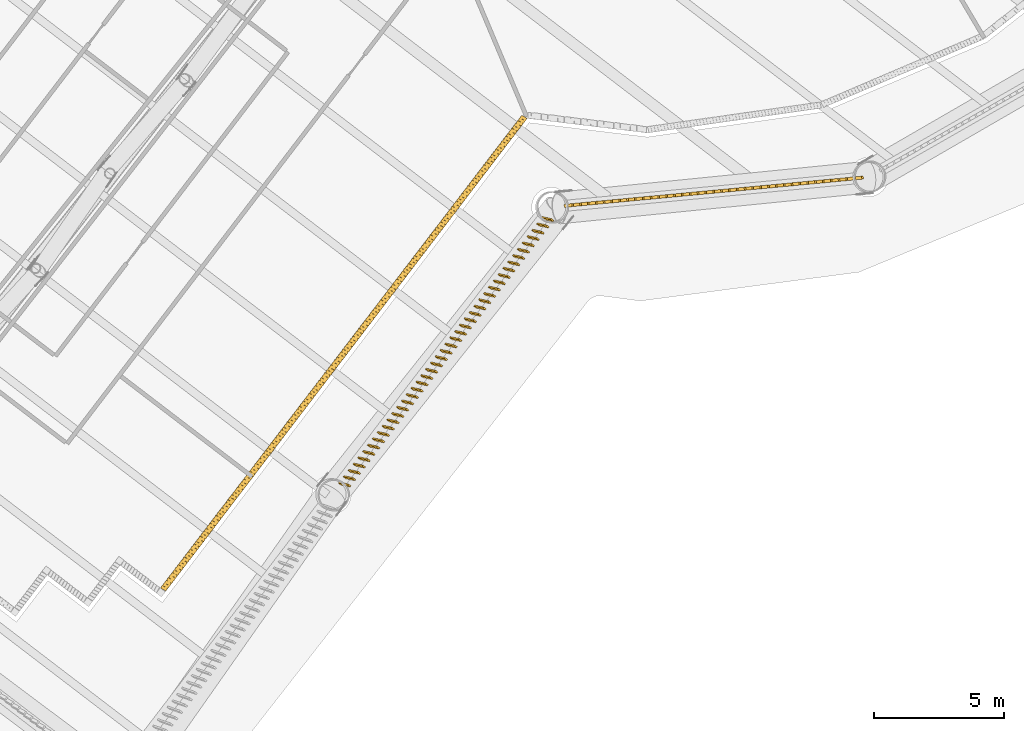
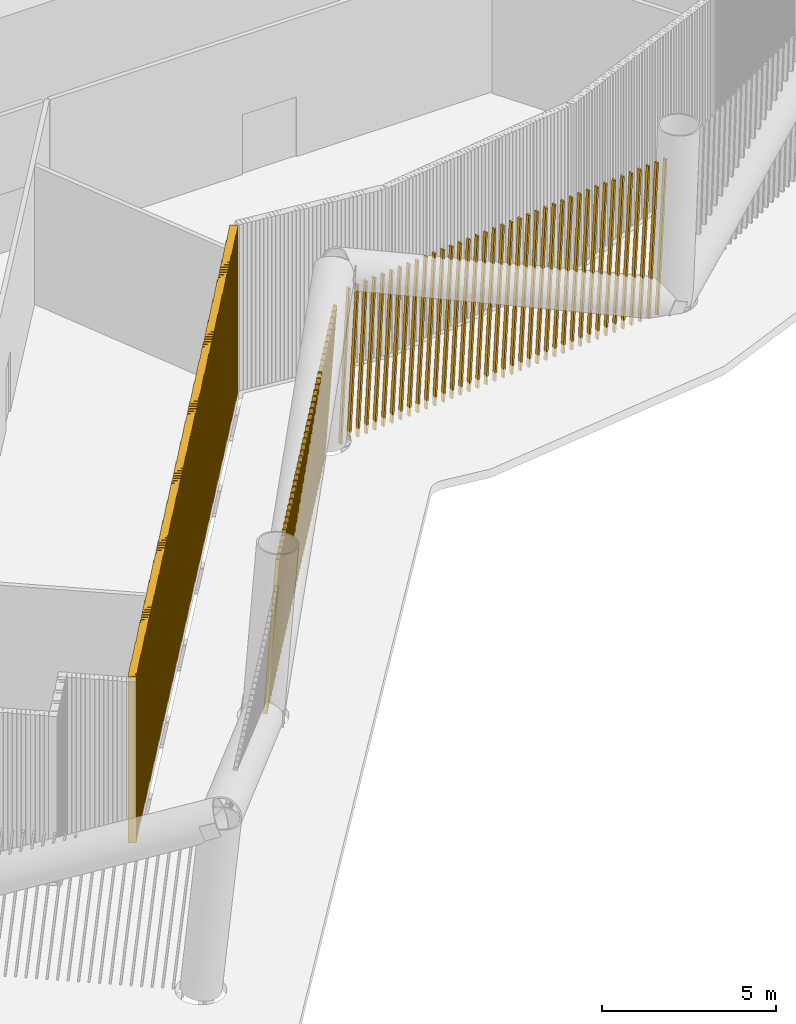
# One storey, part 37 of 48: 3 shading devices.
"""IFC4 building model written with IfcOpenShell, lengths in metres."""

import ifcopenshell
import ifcopenshell.guid

model = None  # the IFC model being written
_history = None  # IfcOwnerHistory: only IFC2X3 demands one
_inside = {}  # id of a spatial element -> (the spatial element, [elements in it])
_under = {}  # id of a project, library or spatial element -> (it, [spatial elements below it])
_declared = {}  # id of a project -> (the project, [libraries it declares])
_typed = {}  # id of a type object -> (the type object, [elements of that type])
_made_of = {}  # id of a material, layer set ... -> (it, [elements and type objects made of it])


def new_model(schema):
    """Start an empty IFC model of exactly this schema.

    Asked for "IFC4X3", IfcOpenShell would pick the latest addendum, in which some entities
    have other attributes; the version numbers below select the first issue.
    IFC2X3 requires an IfcOwnerHistory on every rooted entity: one is made here for all.
    """
    global model, _history
    if schema == "IFC4X3":
        model = ifcopenshell.file(schema_version=(4, 3, 0, 0))
    else:
        model = ifcopenshell.file(schema=schema)
    _inside.clear()
    _under.clear()
    _declared.clear()
    _typed.clear()
    _made_of.clear()
    _history = None
    if model.schema == "IFC2X3":
        org = make("IfcOrganization", Name="unknown")
        user = make(
            "IfcPersonAndOrganization",
            ThePerson=make("IfcPerson", FamilyName="unknown"),
            TheOrganization=org,
        )
        app = make(
            "IfcApplication",
            ApplicationDeveloper=org,
            Version="unknown",
            ApplicationFullName="unknown",
            ApplicationIdentifier="unknown",
        )
        _history = make(
            "IfcOwnerHistory",
            OwningUser=user,
            OwningApplication=app,
            ChangeAction="ADDED",
            CreationDate=0,
        )
    return model


def make(cls, **values):
    """One entity of the class cls with the attributes given. An attribute that is None is left unset."""
    return model.create_entity(
        cls, **{name: value for name, value in values.items() if value is not None}
    )


def rooted(cls, **values):
    """An entity with a GlobalId (a new one), such as an element, a storey or a relation."""
    return make(cls, GlobalId=ifcopenshell.guid.new(), OwnerHistory=_history, **values)


def si_unit(unit_type, name, prefix=None):
    """IfcSIUnit, for example si_unit("LENGTHUNIT", "METRE", prefix="MILLI")."""
    return make("IfcSIUnit", UnitType=unit_type, Prefix=prefix, Name=name)


def assignment(units):
    """IfcUnitAssignment: the units of a project."""
    return None if units is None else make("IfcUnitAssignment", Units=units)


def point(xyz):
    """IfcCartesianPoint."""
    return None if xyz is None else make("IfcCartesianPoint", Coordinates=xyz)


def direction(xyz):
    """IfcDirection."""
    return None if xyz is None else make("IfcDirection", DirectionRatios=xyz)


def frame(location, z_axis=None, x_axis=None):
    """IfcAxis2Placement3D, a coordinate frame: its origin and axes. An axis left out is left unset."""
    return make(
        "IfcAxis2Placement3D",
        Location=point(location),
        Axis=direction(z_axis),
        RefDirection=direction(x_axis),
    )


def frame_2d(location, x_axis=None):
    """IfcAxis2Placement2D, a coordinate frame in the plane: its origin and x axis."""
    return make(
        "IfcAxis2Placement2D", Location=point(location), RefDirection=direction(x_axis)
    )


def origin():
    """The frame at (0, 0, 0) with its axes left unset."""
    return frame((0.0, 0.0, 0.0))


def place(relative_to, where):
    """IfcLocalPlacement: puts the frame where relative to a parent placement (None: the world)."""
    return make(
        "IfcLocalPlacement", PlacementRelTo=relative_to, RelativePlacement=where
    )


def context(
    kind, dimensions, precision=None, world=None, true_north=None, identifier=None
):
    """IfcGeometricRepresentationContext, for example the 3D "Model" context."""
    return make(
        "IfcGeometricRepresentationContext",
        ContextIdentifier=identifier,
        ContextType=kind,
        CoordinateSpaceDimension=dimensions,
        Precision=precision,
        WorldCoordinateSystem=world,
        TrueNorth=true_north,
    )


def subcontext(parent, identifier, kind, view, scale=None):
    """IfcGeometricRepresentationSubContext, for example "Body" below "Model"."""
    return make(
        "IfcGeometricRepresentationSubContext",
        ContextIdentifier=identifier,
        ContextType=kind,
        ParentContext=parent,
        TargetScale=scale,
        TargetView=view,
    )


def project(units=None, contexts=None):
    """IfcProject with its units and contexts."""
    return rooted(
        "IfcProject",
        Name="project",
        RepresentationContexts=contexts,
        UnitsInContext=assignment(units),
    )


def spatial(cls, under=None, at=None, **own):
    """A site, building, storey or space (cls), placed at a placement, below another one or the project."""
    s = rooted(cls, ObjectPlacement=at, **own)
    if under is not None:
        _under.setdefault(under.id(), (under, []))[1].append(s)
    return s


def profile(cls, at=None, kind="AREA", **sizes):
    """A parametric profile (cls). Its sizes go by their IFC names, for example OverallWidth=200.0."""
    return make(cls, ProfileType=kind, Position=at, **sizes)


def rectangle(**sizes):
    """IfcRectangleProfileDef."""
    return profile("IfcRectangleProfileDef", **sizes)


def composite_profile(profiles, kind="AREA"):
    """IfcCompositeProfileDef: several profiles as one."""
    return make("IfcCompositeProfileDef", ProfileType=kind, Profiles=profiles)


def extrude(swept, where, along, depth):
    """IfcExtrudedAreaSolid: the profile swept, set in the frame where, extruded along a direction by depth."""
    return make(
        "IfcExtrudedAreaSolid",
        SweptArea=swept,
        Position=where,
        ExtrudedDirection=direction(along),
        Depth=depth,
    )


def shape(context_of_items, identifier, shape_type, items):
    """IfcShapeRepresentation: the items that make up one representation, for example the "Body"."""
    return make(
        "IfcShapeRepresentation",
        ContextOfItems=context_of_items,
        RepresentationIdentifier=identifier,
        RepresentationType=shape_type,
        Items=items,
    )


def material(Name=None, Category=None):
    """IfcMaterial."""
    return make("IfcMaterial", Name=Name, Category=Category)


def made_of(thing, what):
    """Note that an element or type object is made of a material, layer set ...; save() writes the relation."""
    if what is not None:
        _made_of.setdefault(what.id(), (what, []))[1].append(thing)
    return thing


def type_object(cls, material=None, **own):
    """A type object (cls), such as IfcWallType, which elements share."""
    return made_of(rooted(cls, **own), material)


def element(
    cls,
    number,
    at=None,
    inside=None,
    cuts=None,
    type_object=None,
    material=None,
    context=None,
    identifier="Body",
    shape_type=None,
    held_by="IfcProductDefinitionShape",
    body=None,
    shapes=None,
    **own,
):
    """One element of the class cls, such as IfcWall. Its Tag is "e" and its number.

    at: its placement. inside: the storey or other place that contains it. cuts: it is an
    opening in that element (IfcRelVoidsElement). A single representation is given by context,
    identifier, shape_type and body (its items); several are given by shapes. held_by: the class
    of the entity that holds the representations. save() writes the other relations.
    """
    e = rooted(cls, Tag="e%d" % number, ObjectPlacement=at, **own)
    if body is not None:
        shapes = [shape(context, identifier, shape_type, body)]
    if shapes is not None:
        e.Representation = make(held_by, Representations=shapes)
    if inside is not None:
        _inside.setdefault(inside.id(), (inside, []))[1].append(e)
    if cuts is not None:
        rooted(
            "IfcRelVoidsElement", RelatingBuildingElement=cuts, RelatedOpeningElement=e
        )
    if type_object is not None:
        _typed.setdefault(type_object.id(), (type_object, []))[1].append(e)
    return made_of(e, material)


def aggregate(whole, parts):
    """IfcRelAggregates: a whole, such as a stair, and the parts it consists of."""
    return rooted("IfcRelAggregates", RelatingObject=whole, RelatedObjects=parts)


def save(model, path):
    """Write the relations noted so far, then the file.

    IfcRelAggregates (storeys below a building ...), IfcRelContainedInSpatialStructure (elements
    in a storey), IfcRelDefinesByType, IfcRelAssociatesMaterial and IfcRelDeclares: one each for
    every whole, place, type object, material and project.
    """
    for whole, parts in _under.values():
        aggregate(whole, parts)
    for where, things in _inside.values():
        rooted(
            "IfcRelContainedInSpatialStructure",
            RelatedElements=things,
            RelatingStructure=where,
        )
    for kind, things in _typed.values():
        rooted("IfcRelDefinesByType", RelatedObjects=things, RelatingType=kind)
    for what, things in _made_of.values():
        rooted("IfcRelAssociatesMaterial", RelatedObjects=things, RelatingMaterial=what)
    for by, libraries in _declared.values():
        rooted("IfcRelDeclares", RelatingContext=by, RelatedDefinitions=libraries)
    model.write(path)


model = new_model("IFC4")

# Units and contexts
model_context = context("Model", 3, precision=1e-05, world=origin(), true_north=direction((0.0, 1.0)))
body_context = subcontext(model_context, "Body", "Model", "MODEL_VIEW")
ifc_project = project(units=[si_unit("LENGTHUNIT", "METRE"), si_unit("AREAUNIT", "SQUARE_METRE"), si_unit("VOLUMEUNIT", "CUBIC_METRE"), si_unit("PLANEANGLEUNIT", "RADIAN"), si_unit("MASSUNIT", "GRAM", prefix="KILO")], contexts=[model_context])

# Site, building, storey
site_placement = place(None, origin())
site = spatial("IfcSite", under=ifc_project, at=site_placement, CompositionType="ELEMENT")
building_placement = place(site_placement, origin())
building = spatial("IfcBuilding", under=site, at=building_placement, Name="Tarsis Ring Headquarters", CompositionType="ELEMENT")
storey_placement = place(building_placement, frame((0.0, 0.0, 34.0)))
storey = spatial("IfcBuildingStorey", under=building, at=storey_placement, Name="L06", CompositionType="ELEMENT", Elevation=34.0)

# Shading devices
ifc_material_1 = material(Name="Aluminium louvre", Category="aluminium")
shading_device_type_1 = type_object("IfcShadingDeviceType", Name="Plant louvre fin", PredefinedType="USERDEFINED", material=ifc_material_1)
shading_device_1_placement = place(storey_placement, frame((-18.353759765625, -43.55712890625, 0.0), z_axis=(0.0, 0.0, 1.0), x_axis=(0.607372819922, 0.794411752164, 0.0)))
element("IfcShadingDevice", 1, at=shading_device_1_placement, inside=storey, type_object=shading_device_type_1, Name="Louvre L06-16", ObjectType="Louvre", PredefinedType="USERDEFINED", context=body_context, shape_type="SweptSolid", body=[
    extrude(composite_profile([rectangle(XDim=0.1201171875, YDim=0.239990234375, at=frame_2d((0.076171875, 0.0), x_axis=(0.990268068742, 0.13917310096))), rectangle(XDim=0.1201171875, YDim=0.239990234375, at=frame_2d((0.201904296875, 0.0), x_axis=(0.990268068742, 0.13917310096))), rectangle(XDim=0.1201171875, YDim=0.239990234375, at=frame_2d((0.32763671875, 0.0), x_axis=(0.990268068742, 0.13917310096))), rectangle(XDim=0.1201171875, YDim=0.239990234375, at=frame_2d((0.453125, 0.0), x_axis=(0.990268068742, 0.13917310096))), rectangle(XDim=0.1201171875, YDim=0.239990234375, at=frame_2d((0.578857421875, 0.0), x_axis=(0.990268068742, 0.13917310096))), rectangle(XDim=0.1201171875, YDim=0.239990234375, at=frame_2d((0.70458984375, 0.0), x_axis=(0.990268068742, 0.13917310096))), rectangle(XDim=0.1201171875, YDim=0.239990234375, at=frame_2d((0.830322265625, 0.0), x_axis=(0.990268068742, 0.13917310096))), rectangle(XDim=0.1201171875, YDim=0.239990234375, at=frame_2d((0.9560546875, 0.0), x_axis=(0.990268068742, 0.13917310096))), rectangle(XDim=0.1201171875, YDim=0.239990234375, at=frame_2d((1.08154296875, 0.0), x_axis=(0.990268068742, 0.13917310096))), rectangle(XDim=0.1201171875, YDim=0.239990234375, at=frame_2d((1.207275390625, 0.0), x_axis=(0.990268068742, 0.13917310096))), rectangle(XDim=0.1201171875, YDim=0.239990234375, at=frame_2d((1.3330078125, 0.0), x_axis=(0.990268068742, 0.13917310096))), rectangle(XDim=0.1201171875, YDim=0.239990234375, at=frame_2d((1.458740234375, 0.0), x_axis=(0.990268068742, 0.13917310096))), rectangle(XDim=0.1201171875, YDim=0.239990234375, at=frame_2d((1.58447265625, 0.0), x_axis=(0.990268068742, 0.13917310096))), rectangle(XDim=0.1201171875, YDim=0.239990234375, at=frame_2d((1.7099609375, 0.0), x_axis=(0.990268068742, 0.13917310096))), rectangle(XDim=0.1201171875, YDim=0.239990234375, at=frame_2d((1.835693359375, 0.0), x_axis=(0.990268068742, 0.13917310096))), rectangle(XDim=0.1201171875, YDim=0.239990234375, at=frame_2d((1.96142578125, 0.0), x_axis=(0.990268068742, 0.13917310096))), rectangle(XDim=0.1201171875, YDim=0.239990234375, at=frame_2d((2.087158203125, 0.0), x_axis=(0.990268068742, 0.13917310096))), rectangle(XDim=0.1201171875, YDim=0.239990234375, at=frame_2d((2.212890625, 0.0), x_axis=(0.990268068742, 0.13917310096))), rectangle(XDim=0.1201171875, YDim=0.239990234375, at=frame_2d((2.338623046875, 0.0), x_axis=(0.990268068742, 0.13917310096))), rectangle(XDim=0.1201171875, YDim=0.239990234375, at=frame_2d((2.464111328125, 0.0), x_axis=(0.990268068742, 0.13917310096))), rectangle(XDim=0.1201171875, YDim=0.239990234375, at=frame_2d((2.58984375, 0.0), x_axis=(0.990268068742, 0.13917310096))), rectangle(XDim=0.1201171875, YDim=0.239990234375, at=frame_2d((2.715576171875, 0.0), x_axis=(0.990268068742, 0.13917310096))), rectangle(XDim=0.1201171875, YDim=0.239990234375, at=frame_2d((2.84130859375, 0.0), x_axis=(0.990268068742, 0.13917310096))), rectangle(XDim=0.1201171875, YDim=0.239990234375, at=frame_2d((2.967041015625, 0.0), x_axis=(0.990268068742, 0.13917310096))), rectangle(XDim=0.1201171875, YDim=0.239990234375, at=frame_2d((3.092529296875, 0.0), x_axis=(0.990268068742, 0.13917310096))), rectangle(XDim=0.1201171875, YDim=0.239990234375, at=frame_2d((3.21826171875, 0.0), x_axis=(0.990268068742, 0.13917310096))), rectangle(XDim=0.1201171875, YDim=0.239990234375, at=frame_2d((3.343994140625, 0.0), x_axis=(0.990268068742, 0.13917310096))), rectangle(XDim=0.1201171875, YDim=0.239990234375, at=frame_2d((3.4697265625, 0.0), x_axis=(0.990268068742, 0.13917310096))), rectangle(XDim=0.1201171875, YDim=0.239990234375, at=frame_2d((3.595458984375, 0.0), x_axis=(0.990268068742, 0.13917310096))), rectangle(XDim=0.1201171875, YDim=0.239990234375, at=frame_2d((3.720947265625, 0.0), x_axis=(0.990268068742, 0.13917310096))), rectangle(XDim=0.1201171875, YDim=0.239990234375, at=frame_2d((3.8466796875, 0.0), x_axis=(0.990268068742, 0.13917310096))), rectangle(XDim=0.1201171875, YDim=0.239990234375, at=frame_2d((3.972412109375, 0.0), x_axis=(0.990268068742, 0.13917310096))), rectangle(XDim=0.1201171875, YDim=0.239990234375, at=frame_2d((4.09814453125, 0.0), x_axis=(0.990268068742, 0.13917310096))), rectangle(XDim=0.1201171875, YDim=0.239990234375, at=frame_2d((4.223876953125, 0.0), x_axis=(0.990268068742, 0.13917310096))), rectangle(XDim=0.1201171875, YDim=0.239990234375, at=frame_2d((4.349365234375, 0.0), x_axis=(0.990268068742, 0.13917310096))), rectangle(XDim=0.1201171875, YDim=0.239990234375, at=frame_2d((4.47509765625, 0.0), x_axis=(0.990268068742, 0.13917310096))), rectangle(XDim=0.1201171875, YDim=0.239990234375, at=frame_2d((4.600830078125, 0.0), x_axis=(0.990268068742, 0.13917310096))), rectangle(XDim=0.1201171875, YDim=0.239990234375, at=frame_2d((4.7265625, 0.0), x_axis=(0.990268068742, 0.13917310096))), rectangle(XDim=0.1201171875, YDim=0.239990234375, at=frame_2d((4.852294921875, 0.0), x_axis=(0.990268068742, 0.13917310096))), rectangle(XDim=0.1201171875, YDim=0.239990234375, at=frame_2d((4.977783203125, 0.0), x_axis=(0.990268068742, 0.13917310096))), rectangle(XDim=0.1201171875, YDim=0.239990234375, at=frame_2d((5.103515625, 0.0), x_axis=(0.990268068742, 0.13917310096))), rectangle(XDim=0.1201171875, YDim=0.239990234375, at=frame_2d((5.229248046875, 0.0), x_axis=(0.990268068742, 0.13917310096))), rectangle(XDim=0.1201171875, YDim=0.239990234375, at=frame_2d((5.35498046875, 0.0), x_axis=(0.990268068742, 0.13917310096))), rectangle(XDim=0.1201171875, YDim=0.239990234375, at=frame_2d((5.480712890625, 0.0), x_axis=(0.990268068742, 0.13917310096))), rectangle(XDim=0.1201171875, YDim=0.239990234375, at=frame_2d((5.606201171875, 0.0), x_axis=(0.990268068742, 0.13917310096))), rectangle(XDim=0.1201171875, YDim=0.239990234375, at=frame_2d((5.73193359375, 0.0), x_axis=(0.990268068742, 0.13917310096))), rectangle(XDim=0.1201171875, YDim=0.239990234375, at=frame_2d((5.857666015625, 0.0), x_axis=(0.990268068742, 0.13917310096))), rectangle(XDim=0.1201171875, YDim=0.239990234375, at=frame_2d((5.9833984375, 0.0), x_axis=(0.990268068742, 0.13917310096))), rectangle(XDim=0.1201171875, YDim=0.239990234375, at=frame_2d((6.109130859375, 0.0), x_axis=(0.990268068742, 0.13917310096))), rectangle(XDim=0.1201171875, YDim=0.239990234375, at=frame_2d((6.23486328125, 0.0), x_axis=(0.990268068742, 0.13917310096))), rectangle(XDim=0.1201171875, YDim=0.239990234375, at=frame_2d((6.3603515625, 0.0), x_axis=(0.990268068742, 0.13917310096))), rectangle(XDim=0.1201171875, YDim=0.239990234375, at=frame_2d((6.486083984375, 0.0), x_axis=(0.990268068742, 0.13917310096))), rectangle(XDim=0.1201171875, YDim=0.239990234375, at=frame_2d((6.61181640625, 0.0), x_axis=(0.990268068742, 0.13917310096))), rectangle(XDim=0.1201171875, YDim=0.239990234375, at=frame_2d((6.737548828125, 0.0), x_axis=(0.990268068742, 0.13917310096))), rectangle(XDim=0.1201171875, YDim=0.239990234375, at=frame_2d((6.86328125, 0.0), x_axis=(0.990268068742, 0.13917310096))), rectangle(XDim=0.1201171875, YDim=0.239990234375, at=frame_2d((6.98876953125, 0.0), x_axis=(0.990268068742, 0.13917310096))), rectangle(XDim=0.1201171875, YDim=0.239990234375, at=frame_2d((7.114501953125, 0.0), x_axis=(0.990268068742, 0.13917310096))), rectangle(XDim=0.1201171875, YDim=0.239990234375, at=frame_2d((7.240234375, 0.0), x_axis=(0.990268068742, 0.13917310096))), rectangle(XDim=0.1201171875, YDim=0.239990234375, at=frame_2d((7.365966796875, 0.0), x_axis=(0.990268068742, 0.13917310096))), rectangle(XDim=0.1201171875, YDim=0.239990234375, at=frame_2d((7.49169921875, 0.0), x_axis=(0.990268068742, 0.13917310096))), rectangle(XDim=0.1201171875, YDim=0.239990234375, at=frame_2d((7.6171875, 0.0), x_axis=(0.990268068742, 0.13917310096))), rectangle(XDim=0.1201171875, YDim=0.239990234375, at=frame_2d((7.742919921875, 0.0), x_axis=(0.990268068742, 0.13917310096))), rectangle(XDim=0.1201171875, YDim=0.239990234375, at=frame_2d((7.86865234375, 0.0), x_axis=(0.990268068742, 0.13917310096))), rectangle(XDim=0.1201171875, YDim=0.239990234375, at=frame_2d((7.994384765625, 0.0), x_axis=(0.990268068742, 0.13917310096))), rectangle(XDim=0.1201171875, YDim=0.239990234375, at=frame_2d((8.1201171875, 0.0), x_axis=(0.990268068742, 0.13917310096))), rectangle(XDim=0.1201171875, YDim=0.239990234375, at=frame_2d((8.24560546875, 0.0), x_axis=(0.990268068742, 0.13917310096))), rectangle(XDim=0.1201171875, YDim=0.239990234375, at=frame_2d((8.371337890625, 0.0), x_axis=(0.990268068742, 0.13917310096))), rectangle(XDim=0.1201171875, YDim=0.239990234375, at=frame_2d((8.4970703125, 0.0), x_axis=(0.990268068742, 0.13917310096))), rectangle(XDim=0.1201171875, YDim=0.239990234375, at=frame_2d((8.622802734375, 0.0), x_axis=(0.990268068742, 0.13917310096))), rectangle(XDim=0.1201171875, YDim=0.239990234375, at=frame_2d((8.74853515625, 0.0), x_axis=(0.990268068742, 0.13917310096))), rectangle(XDim=0.1201171875, YDim=0.239990234375, at=frame_2d((8.8740234375, 0.0), x_axis=(0.990268068742, 0.13917310096))), rectangle(XDim=0.1201171875, YDim=0.239990234375, at=frame_2d((8.999755859375, 0.0), x_axis=(0.990268068742, 0.13917310096))), rectangle(XDim=0.1201171875, YDim=0.239990234375, at=frame_2d((9.12548828125, 0.0), x_axis=(0.990268068742, 0.13917310096))), rectangle(XDim=0.1201171875, YDim=0.239990234375, at=frame_2d((9.251220703125, 0.0), x_axis=(0.990268068742, 0.13917310096))), rectangle(XDim=0.1201171875, YDim=0.239990234375, at=frame_2d((9.376953125, 0.0), x_axis=(0.990268068742, 0.13917310096))), rectangle(XDim=0.1201171875, YDim=0.239990234375, at=frame_2d((9.50244140625, 0.0), x_axis=(0.990268068742, 0.13917310096))), rectangle(XDim=0.1201171875, YDim=0.239990234375, at=frame_2d((9.628173828125, 0.0), x_axis=(0.990268068742, 0.13917310096))), rectangle(XDim=0.1201171875, YDim=0.239990234375, at=frame_2d((9.75390625, 0.0), x_axis=(0.990268068742, 0.13917310096))), rectangle(XDim=0.1201171875, YDim=0.239990234375, at=frame_2d((9.879638671875, 0.0), x_axis=(0.990268068742, 0.13917310096))), rectangle(XDim=0.1201171875, YDim=0.239990234375, at=frame_2d((10.00537109375, 0.0), x_axis=(0.990268068742, 0.13917310096))), rectangle(XDim=0.1201171875, YDim=0.239990234375, at=frame_2d((10.131103515625, 0.0), x_axis=(0.990268068742, 0.13917310096))), rectangle(XDim=0.1201171875, YDim=0.239990234375, at=frame_2d((10.256591796875, 0.0), x_axis=(0.990268068742, 0.13917310096))), rectangle(XDim=0.1201171875, YDim=0.239990234375, at=frame_2d((10.38232421875, 0.0), x_axis=(0.990268068742, 0.13917310096))), rectangle(XDim=0.1201171875, YDim=0.239990234375, at=frame_2d((10.508056640625, 0.0), x_axis=(0.990268068742, 0.13917310096))), rectangle(XDim=0.1201171875, YDim=0.239990234375, at=frame_2d((10.6337890625, 0.0), x_axis=(0.990268068742, 0.13917310096))), rectangle(XDim=0.1201171875, YDim=0.239990234375, at=frame_2d((10.759521484375, 0.0), x_axis=(0.990268068742, 0.13917310096))), rectangle(XDim=0.1201171875, YDim=0.239990234375, at=frame_2d((10.885009765625, 0.0), x_axis=(0.990268068742, 0.13917310096))), rectangle(XDim=0.1201171875, YDim=0.239990234375, at=frame_2d((11.0107421875, 0.0), x_axis=(0.990268068742, 0.13917310096))), rectangle(XDim=0.1201171875, YDim=0.239990234375, at=frame_2d((11.136474609375, 0.0), x_axis=(0.990268068742, 0.13917310096))), rectangle(XDim=0.1201171875, YDim=0.239990234375, at=frame_2d((11.26220703125, 0.0), x_axis=(0.990268068742, 0.13917310096))), rectangle(XDim=0.1201171875, YDim=0.239990234375, at=frame_2d((11.387939453125, 0.0), x_axis=(0.990268068742, 0.13917310096))), rectangle(XDim=0.1201171875, YDim=0.239990234375, at=frame_2d((11.513427734375, 0.0), x_axis=(0.990268068742, 0.13917310096))), rectangle(XDim=0.1201171875, YDim=0.239990234375, at=frame_2d((11.63916015625, 0.0), x_axis=(0.990268068742, 0.13917310096))), rectangle(XDim=0.1201171875, YDim=0.239990234375, at=frame_2d((11.764892578125, 0.0), x_axis=(0.990268068742, 0.13917310096))), rectangle(XDim=0.1201171875, YDim=0.239990234375, at=frame_2d((11.890625, 0.0), x_axis=(0.990268068742, 0.13917310096))), rectangle(XDim=0.1201171875, YDim=0.239990234375, at=frame_2d((12.016357421875, 0.0), x_axis=(0.990268068742, 0.13917310096))), rectangle(XDim=0.1201171875, YDim=0.239990234375, at=frame_2d((12.141845703125, 0.0), x_axis=(0.990268068742, 0.13917310096))), rectangle(XDim=0.1201171875, YDim=0.239990234375, at=frame_2d((12.267578125, 0.0), x_axis=(0.990268068742, 0.13917310096))), rectangle(XDim=0.1201171875, YDim=0.239990234375, at=frame_2d((12.393310546875, 0.0), x_axis=(0.990268068742, 0.13917310096))), rectangle(XDim=0.1201171875, YDim=0.239990234375, at=frame_2d((12.51904296875, 0.0), x_axis=(0.990268068742, 0.13917310096))), rectangle(XDim=0.1201171875, YDim=0.239990234375, at=frame_2d((12.644775390625, 0.0), x_axis=(0.990268068742, 0.13917310096))), rectangle(XDim=0.1201171875, YDim=0.239990234375, at=frame_2d((12.770263671875, 0.0), x_axis=(0.990268068742, 0.13917310096))), rectangle(XDim=0.1201171875, YDim=0.239990234375, at=frame_2d((12.89599609375, 0.0), x_axis=(0.990268068742, 0.13917310096))), rectangle(XDim=0.1201171875, YDim=0.239990234375, at=frame_2d((13.021728515625, 0.0), x_axis=(0.990268068742, 0.13917310096))), rectangle(XDim=0.1201171875, YDim=0.239990234375, at=frame_2d((13.1474609375, 0.0), x_axis=(0.990268068742, 0.13917310096))), rectangle(XDim=0.1201171875, YDim=0.239990234375, at=frame_2d((13.273193359375, 0.0), x_axis=(0.990268068742, 0.13917310096))), rectangle(XDim=0.1201171875, YDim=0.239990234375, at=frame_2d((13.39892578125, 0.0), x_axis=(0.990268068742, 0.13917310096))), rectangle(XDim=0.1201171875, YDim=0.239990234375, at=frame_2d((13.5244140625, 0.0), x_axis=(0.990268068742, 0.13917310096))), rectangle(XDim=0.1201171875, YDim=0.239990234375, at=frame_2d((13.650146484375, 0.0), x_axis=(0.990268068742, 0.13917310096))), rectangle(XDim=0.1201171875, YDim=0.239990234375, at=frame_2d((13.77587890625, 0.0), x_axis=(0.990268068742, 0.13917310096))), rectangle(XDim=0.1201171875, YDim=0.239990234375, at=frame_2d((13.901611328125, 0.0), x_axis=(0.990268068742, 0.13917310096))), rectangle(XDim=0.1201171875, YDim=0.239990234375, at=frame_2d((14.02734375, 0.0), x_axis=(0.990268068742, 0.13917310096))), rectangle(XDim=0.1201171875, YDim=0.239990234375, at=frame_2d((14.15283203125, 0.0), x_axis=(0.990268068742, 0.13917310096))), rectangle(XDim=0.1201171875, YDim=0.239990234375, at=frame_2d((14.278564453125, 0.0), x_axis=(0.990268068742, 0.13917310096))), rectangle(XDim=0.1201171875, YDim=0.239990234375, at=frame_2d((14.404296875, 0.0), x_axis=(0.990268068742, 0.13917310096))), rectangle(XDim=0.1201171875, YDim=0.239990234375, at=frame_2d((14.530029296875, 0.0), x_axis=(0.990268068742, 0.13917310096))), rectangle(XDim=0.1201171875, YDim=0.239990234375, at=frame_2d((14.65576171875, 0.0), x_axis=(0.990268068742, 0.13917310096))), rectangle(XDim=0.1201171875, YDim=0.239990234375, at=frame_2d((14.78125, 0.0), x_axis=(0.990268068742, 0.13917310096))), rectangle(XDim=0.1201171875, YDim=0.239990234375, at=frame_2d((14.906982421875, 0.0), x_axis=(0.990268068742, 0.13917310096))), rectangle(XDim=0.1201171875, YDim=0.239990234375, at=frame_2d((15.03271484375, 0.0), x_axis=(0.990268068742, 0.13917310096))), rectangle(XDim=0.1201171875, YDim=0.239990234375, at=frame_2d((15.158447265625, 0.0), x_axis=(0.990268068742, 0.13917310096))), rectangle(XDim=0.1201171875, YDim=0.239990234375, at=frame_2d((15.2841796875, 0.0), x_axis=(0.990268068742, 0.13917310096))), rectangle(XDim=0.1201171875, YDim=0.239990234375, at=frame_2d((15.40966796875, 0.0), x_axis=(0.990268068742, 0.13917310096))), rectangle(XDim=0.1201171875, YDim=0.239990234375, at=frame_2d((15.535400390625, 0.0), x_axis=(0.990268068742, 0.13917310096))), rectangle(XDim=0.1201171875, YDim=0.239990234375, at=frame_2d((15.6611328125, 0.0), x_axis=(0.990268068742, 0.13917310096))), rectangle(XDim=0.1201171875, YDim=0.239990234375, at=frame_2d((15.786865234375, 0.0), x_axis=(0.990268068742, 0.13917310096))), rectangle(XDim=0.1201171875, YDim=0.239990234375, at=frame_2d((15.91259765625, 0.0), x_axis=(0.990268068742, 0.13917310096))), rectangle(XDim=0.1201171875, YDim=0.239990234375, at=frame_2d((16.0380859375, 0.0), x_axis=(0.990268068742, 0.13917310096))), rectangle(XDim=0.1201171875, YDim=0.239990234375, at=frame_2d((16.163818359375, 0.0), x_axis=(0.990268068742, 0.13917310096))), rectangle(XDim=0.1201171875, YDim=0.239990234375, at=frame_2d((16.28955078125, 0.0), x_axis=(0.990268068742, 0.13917310096))), rectangle(XDim=0.1201171875, YDim=0.239990234375, at=frame_2d((16.415283203125, 0.0), x_axis=(0.990268068742, 0.13917310096))), rectangle(XDim=0.1201171875, YDim=0.239990234375, at=frame_2d((16.541015625, 0.0), x_axis=(0.990268068742, 0.13917310096))), rectangle(XDim=0.1201171875, YDim=0.239990234375, at=frame_2d((16.66650390625, 0.0), x_axis=(0.990268068742, 0.13917310096))), rectangle(XDim=0.1201171875, YDim=0.239990234375, at=frame_2d((16.792236328125, 0.0), x_axis=(0.990268068742, 0.13917310096))), rectangle(XDim=0.1201171875, YDim=0.239990234375, at=frame_2d((16.91796875, 0.0), x_axis=(0.990268068742, 0.13917310096))), rectangle(XDim=0.1201171875, YDim=0.239990234375, at=frame_2d((17.043701171875, 0.0), x_axis=(0.990268068742, 0.13917310096))), rectangle(XDim=0.1201171875, YDim=0.239990234375, at=frame_2d((17.16943359375, 0.0), x_axis=(0.990268068742, 0.13917310096))), rectangle(XDim=0.1201171875, YDim=0.239990234375, at=frame_2d((17.295166015625, 0.0), x_axis=(0.990268068742, 0.13917310096))), rectangle(XDim=0.1201171875, YDim=0.239990234375, at=frame_2d((17.420654296875, 0.0), x_axis=(0.990268068742, 0.13917310096))), rectangle(XDim=0.1201171875, YDim=0.239990234375, at=frame_2d((17.54638671875, 0.0), x_axis=(0.990268068742, 0.13917310096))), rectangle(XDim=0.1201171875, YDim=0.239990234375, at=frame_2d((17.672119140625, 0.0), x_axis=(0.990268068742, 0.13917310096))), rectangle(XDim=0.1201171875, YDim=0.239990234375, at=frame_2d((17.7978515625, 0.0), x_axis=(0.990268068742, 0.13917310096))), rectangle(XDim=0.1201171875, YDim=0.239990234375, at=frame_2d((17.923583984375, 0.0), x_axis=(0.990268068742, 0.13917310096))), rectangle(XDim=0.1201171875, YDim=0.239990234375, at=frame_2d((18.049072265625, 0.0), x_axis=(0.990268068742, 0.13917310096))), rectangle(XDim=0.1201171875, YDim=0.239990234375, at=frame_2d((18.1748046875, 0.0), x_axis=(0.990268068742, 0.13917310096))), rectangle(XDim=0.1201171875, YDim=0.239990234375, at=frame_2d((18.300537109375, 0.0), x_axis=(0.990268068742, 0.13917310096))), rectangle(XDim=0.1201171875, YDim=0.239990234375, at=frame_2d((18.42626953125, 0.0), x_axis=(0.990268068742, 0.13917310096))), rectangle(XDim=0.1201171875, YDim=0.239990234375, at=frame_2d((18.552001953125, 0.0), x_axis=(0.990268068742, 0.13917310096))), rectangle(XDim=0.1201171875, YDim=0.239990234375, at=frame_2d((18.677490234375, 0.0), x_axis=(0.990268068742, 0.13917310096))), rectangle(XDim=0.1201171875, YDim=0.239990234375, at=frame_2d((18.80322265625, 0.0), x_axis=(0.990268068742, 0.13917310096))), rectangle(XDim=0.1201171875, YDim=0.239990234375, at=frame_2d((18.928955078125, 0.0), x_axis=(0.990268068742, 0.13917310096))), rectangle(XDim=0.1201171875, YDim=0.239990234375, at=frame_2d((19.0546875, 0.0), x_axis=(0.990268068742, 0.13917310096))), rectangle(XDim=0.1201171875, YDim=0.239990234375, at=frame_2d((19.180419921875, 0.0), x_axis=(0.990268068742, 0.13917310096))), rectangle(XDim=0.1201171875, YDim=0.239990234375, at=frame_2d((19.305908203125, 0.0), x_axis=(0.990268068742, 0.13917310096))), rectangle(XDim=0.1201171875, YDim=0.239990234375, at=frame_2d((19.431640625, 0.0), x_axis=(0.990268068742, 0.13917310096))), rectangle(XDim=0.1201171875, YDim=0.239990234375, at=frame_2d((19.557373046875, 0.0), x_axis=(0.990268068742, 0.13917310096))), rectangle(XDim=0.1201171875, YDim=0.239990234375, at=frame_2d((19.68310546875, 0.0), x_axis=(0.990268068742, 0.13917310096))), rectangle(XDim=0.1201171875, YDim=0.239990234375, at=frame_2d((19.808837890625, 0.0), x_axis=(0.990268068742, 0.13917310096))), rectangle(XDim=0.1201171875, YDim=0.239990234375, at=frame_2d((19.934326171875, 0.0), x_axis=(0.990268068742, 0.13917310096))), rectangle(XDim=0.1201171875, YDim=0.239990234375, at=frame_2d((20.06005859375, 0.0), x_axis=(0.990268068742, 0.13917310096))), rectangle(XDim=0.1201171875, YDim=0.239990234375, at=frame_2d((20.185791015625, 0.0), x_axis=(0.990268068742, 0.13917310096))), rectangle(XDim=0.1201171875, YDim=0.239990234375, at=frame_2d((20.3115234375, 0.0), x_axis=(0.990268068742, 0.13917310096))), rectangle(XDim=0.1201171875, YDim=0.239990234375, at=frame_2d((20.437255859375, 0.0), x_axis=(0.990268068742, 0.13917310096))), rectangle(XDim=0.1201171875, YDim=0.239990234375, at=frame_2d((20.562744140625, 0.0), x_axis=(0.990268068742, 0.13917310096))), rectangle(XDim=0.1201171875, YDim=0.239990234375, at=frame_2d((20.6884765625, 0.0), x_axis=(0.990268068742, 0.13917310096))), rectangle(XDim=0.1201171875, YDim=0.239990234375, at=frame_2d((20.814208984375, 0.0), x_axis=(0.990268068742, 0.13917310096))), rectangle(XDim=0.1201171875, YDim=0.239990234375, at=frame_2d((20.93994140625, 0.0), x_axis=(0.990268068742, 0.13917310096))), rectangle(XDim=0.1201171875, YDim=0.239990234375, at=frame_2d((21.065673828125, 0.0), x_axis=(0.990268068742, 0.13917310096))), rectangle(XDim=0.1201171875, YDim=0.239990234375, at=frame_2d((21.19140625, 0.0), x_axis=(0.990268068742, 0.13917310096))), rectangle(XDim=0.1201171875, YDim=0.239990234375, at=frame_2d((21.31689453125, 0.0), x_axis=(0.990268068742, 0.13917310096))), rectangle(XDim=0.1201171875, YDim=0.239990234375, at=frame_2d((21.442626953125, 0.0), x_axis=(0.990268068742, 0.13917310096))), rectangle(XDim=0.1201171875, YDim=0.239990234375, at=frame_2d((21.568359375, 0.0), x_axis=(0.990268068742, 0.13917310096))), rectangle(XDim=0.1201171875, YDim=0.239990234375, at=frame_2d((21.694091796875, 0.0), x_axis=(0.990268068742, 0.13917310096))), rectangle(XDim=0.1201171875, YDim=0.239990234375, at=frame_2d((21.81982421875, 0.0), x_axis=(0.990268068742, 0.13917310096))), rectangle(XDim=0.1201171875, YDim=0.239990234375, at=frame_2d((21.9453125, 0.0), x_axis=(0.990268068742, 0.13917310096))), rectangle(XDim=0.1201171875, YDim=0.239990234375, at=frame_2d((22.071044921875, 0.0), x_axis=(0.990268068742, 0.13917310096))), rectangle(XDim=0.1201171875, YDim=0.239990234375, at=frame_2d((22.19677734375, 0.0), x_axis=(0.990268068742, 0.13917310096))), rectangle(XDim=0.1201171875, YDim=0.239990234375, at=frame_2d((22.322509765625, 0.0), x_axis=(0.990268068742, 0.13917310096))), rectangle(XDim=0.1201171875, YDim=0.239990234375, at=frame_2d((22.4482421875, 0.0), x_axis=(0.990268068742, 0.13917310096))), rectangle(XDim=0.1201171875, YDim=0.239990234375, at=frame_2d((22.57373046875, 0.0), x_axis=(0.990268068742, 0.13917310096))), rectangle(XDim=0.1201171875, YDim=0.239990234375, at=frame_2d((22.699462890625, 0.0), x_axis=(0.990268068742, 0.13917310096))), rectangle(XDim=0.1201171875, YDim=0.239990234375, at=frame_2d((22.8251953125, 0.0), x_axis=(0.990268068742, 0.13917310096)))]), origin(), (0.0, 0.0, 1.0), 5.840087890625),
])
ifc_material_2 = material(Name="Terracotta baguette", Category="masonry")
shading_device_type_2 = type_object("IfcShadingDeviceType", Name="Terracotta baguette screen", PredefinedType="USERDEFINED", material=ifc_material_2)
shading_device_2_placement = place(storey_placement, frame((-11.564453125, -39.492919921875, -0.300048828125), z_axis=(0.0, 0.0, 1.0), x_axis=(0.607376009991, 0.794425416769, 0.0)))
element("IfcShadingDevice", 2, at=shading_device_2_placement, inside=storey, type_object=shading_device_type_2, Name="Baguette screen L06-06", ObjectType="Terracotta baguette screen", PredefinedType="USERDEFINED", context=body_context, shape_type="SweptSolid", body=[
    extrude(composite_profile([rectangle(XDim=0.06005859375, YDim=0.1201171875, at=frame_2d((0.030029296875, 0.0))), rectangle(XDim=0.06005859375, YDim=0.1201171875, at=frame_2d((0.335693359375, 0.0))), rectangle(XDim=0.06005859375, YDim=0.1201171875, at=frame_2d((0.6416015625, 0.0))), rectangle(XDim=0.06005859375, YDim=0.1201171875, at=frame_2d((0.947265625, 0.0))), rectangle(XDim=0.06005859375, YDim=0.1201171875, at=frame_2d((1.253173828125, 0.0))), rectangle(XDim=0.06005859375, YDim=0.1201171875, at=frame_2d((1.558837890625, 0.0))), rectangle(XDim=0.06005859375, YDim=0.1201171875, at=frame_2d((1.864501953125, 0.0))), rectangle(XDim=0.06005859375, YDim=0.1201171875, at=frame_2d((2.17041015625, 0.0))), rectangle(XDim=0.06005859375, YDim=0.1201171875, at=frame_2d((2.47607421875, 0.0))), rectangle(XDim=0.06005859375, YDim=0.1201171875, at=frame_2d((2.781982421875, 0.0))), rectangle(XDim=0.06005859375, YDim=0.1201171875, at=frame_2d((3.087646484375, 0.0))), rectangle(XDim=0.06005859375, YDim=0.1201171875, at=frame_2d((3.393310546875, 0.0))), rectangle(XDim=0.06005859375, YDim=0.1201171875, at=frame_2d((3.69921875, 0.0))), rectangle(XDim=0.06005859375, YDim=0.1201171875, at=frame_2d((4.0048828125, 0.0))), rectangle(XDim=0.06005859375, YDim=0.1201171875, at=frame_2d((4.310791015625, 0.0))), rectangle(XDim=0.06005859375, YDim=0.1201171875, at=frame_2d((4.616455078125, 0.0))), rectangle(XDim=0.06005859375, YDim=0.1201171875, at=frame_2d((4.922119140625, 0.0))), rectangle(XDim=0.06005859375, YDim=0.1201171875, at=frame_2d((5.22802734375, 0.0))), rectangle(XDim=0.06005859375, YDim=0.1201171875, at=frame_2d((5.53369140625, 0.0))), rectangle(XDim=0.06005859375, YDim=0.1201171875, at=frame_2d((5.839599609375, 0.0))), rectangle(XDim=0.06005859375, YDim=0.1201171875, at=frame_2d((6.145263671875, 0.0))), rectangle(XDim=0.06005859375, YDim=0.1201171875, at=frame_2d((6.451171875, 0.0))), rectangle(XDim=0.06005859375, YDim=0.1201171875, at=frame_2d((6.7568359375, 0.0))), rectangle(XDim=0.06005859375, YDim=0.1201171875, at=frame_2d((7.0625, 0.0))), rectangle(XDim=0.06005859375, YDim=0.1201171875, at=frame_2d((7.368408203125, 0.0))), rectangle(XDim=0.06005859375, YDim=0.1201171875, at=frame_2d((7.674072265625, 0.0))), rectangle(XDim=0.06005859375, YDim=0.1201171875, at=frame_2d((7.97998046875, 0.0))), rectangle(XDim=0.06005859375, YDim=0.1201171875, at=frame_2d((8.28564453125, 0.0))), rectangle(XDim=0.06005859375, YDim=0.1201171875, at=frame_2d((8.59130859375, 0.0))), rectangle(XDim=0.06005859375, YDim=0.1201171875, at=frame_2d((8.897216796875, 0.0))), rectangle(XDim=0.06005859375, YDim=0.1201171875, at=frame_2d((9.202880859375, 0.0))), rectangle(XDim=0.06005859375, YDim=0.1201171875, at=frame_2d((9.5087890625, 0.0))), rectangle(XDim=0.06005859375, YDim=0.1201171875, at=frame_2d((9.814453125, 0.0))), rectangle(XDim=0.06005859375, YDim=0.1201171875, at=frame_2d((10.1201171875, 0.0))), rectangle(XDim=0.06005859375, YDim=0.1201171875, at=frame_2d((10.426025390625, 0.0))), rectangle(XDim=0.06005859375, YDim=0.1201171875, at=frame_2d((10.731689453125, 0.0))), rectangle(XDim=0.06005859375, YDim=0.1201171875, at=frame_2d((11.03759765625, 0.0))), rectangle(XDim=0.06005859375, YDim=0.1201171875, at=frame_2d((11.34326171875, 0.0))), rectangle(XDim=0.06005859375, YDim=0.1201171875, at=frame_2d((11.64892578125, 0.0))), rectangle(XDim=0.06005859375, YDim=0.1201171875, at=frame_2d((11.954833984375, 0.0))), rectangle(XDim=0.06005859375, YDim=0.1201171875, at=frame_2d((12.260498046875, 0.0))), rectangle(XDim=0.06005859375, YDim=0.1201171875, at=frame_2d((12.56640625, 0.0))), rectangle(XDim=0.06005859375, YDim=0.1201171875, at=frame_2d((12.8720703125, 0.0)))]), origin(), (0.029212939308, -0.062202503885, 0.997635931935), 5.365234375),
])
shading_device_3_placement = place(storey_placement, frame((-2.926513671875, -28.798828125, -0.300048828125), z_axis=(0.0, 0.0, 1.0), x_axis=(0.995550732501, 0.094129137276, 0.0)))
element("IfcShadingDevice", 3, at=shading_device_3_placement, inside=storey, type_object=shading_device_type_2, Name="Baguette screen L06-07", ObjectType="Terracotta baguette screen", PredefinedType="USERDEFINED", context=body_context, shape_type="SweptSolid", body=[
    extrude(composite_profile([rectangle(XDim=0.06005859375, YDim=0.1201171875, at=frame_2d((0.030029296875, 0.0))), rectangle(XDim=0.06005859375, YDim=0.1201171875, at=frame_2d((0.33251953125, 0.0))), rectangle(XDim=0.06005859375, YDim=0.1201171875, at=frame_2d((0.634765625, 0.0))), rectangle(XDim=0.06005859375, YDim=0.1201171875, at=frame_2d((0.937255859375, 0.0))), rectangle(XDim=0.06005859375, YDim=0.1201171875, at=frame_2d((1.239501953125, 0.0))), rectangle(XDim=0.06005859375, YDim=0.1201171875, at=frame_2d((1.5419921875, 0.0))), rectangle(XDim=0.06005859375, YDim=0.1201171875, at=frame_2d((1.844482421875, 0.0))), rectangle(XDim=0.06005859375, YDim=0.1201171875, at=frame_2d((2.146728515625, 0.0))), rectangle(XDim=0.06005859375, YDim=0.1201171875, at=frame_2d((2.44921875, 0.0))), rectangle(XDim=0.06005859375, YDim=0.1201171875, at=frame_2d((2.751708984375, 0.0))), rectangle(XDim=0.06005859375, YDim=0.1201171875, at=frame_2d((3.053955078125, 0.0))), rectangle(XDim=0.06005859375, YDim=0.1201171875, at=frame_2d((3.3564453125, 0.0))), rectangle(XDim=0.06005859375, YDim=0.1201171875, at=frame_2d((3.65869140625, 0.0))), rectangle(XDim=0.06005859375, YDim=0.1201171875, at=frame_2d((3.961181640625, 0.0))), rectangle(XDim=0.06005859375, YDim=0.1201171875, at=frame_2d((4.263671875, 0.0))), rectangle(XDim=0.06005859375, YDim=0.1201171875, at=frame_2d((4.56591796875, 0.0))), rectangle(XDim=0.06005859375, YDim=0.1201171875, at=frame_2d((4.868408203125, 0.0))), rectangle(XDim=0.06005859375, YDim=0.1201171875, at=frame_2d((5.1708984375, 0.0))), rectangle(XDim=0.06005859375, YDim=0.1201171875, at=frame_2d((5.47314453125, 0.0))), rectangle(XDim=0.06005859375, YDim=0.1201171875, at=frame_2d((5.775634765625, 0.0))), rectangle(XDim=0.06005859375, YDim=0.1201171875, at=frame_2d((6.077880859375, 0.0))), rectangle(XDim=0.06005859375, YDim=0.1201171875, at=frame_2d((6.38037109375, 0.0))), rectangle(XDim=0.06005859375, YDim=0.1201171875, at=frame_2d((6.682861328125, 0.0))), rectangle(XDim=0.06005859375, YDim=0.1201171875, at=frame_2d((6.985107421875, 0.0))), rectangle(XDim=0.06005859375, YDim=0.1201171875, at=frame_2d((7.28759765625, 0.0))), rectangle(XDim=0.06005859375, YDim=0.1201171875, at=frame_2d((7.590087890625, 0.0))), rectangle(XDim=0.06005859375, YDim=0.1201171875, at=frame_2d((7.892333984375, 0.0))), rectangle(XDim=0.06005859375, YDim=0.1201171875, at=frame_2d((8.19482421875, 0.0))), rectangle(XDim=0.06005859375, YDim=0.1201171875, at=frame_2d((8.4970703125, 0.0))), rectangle(XDim=0.06005859375, YDim=0.1201171875, at=frame_2d((8.799560546875, 0.0))), rectangle(XDim=0.06005859375, YDim=0.1201171875, at=frame_2d((9.10205078125, 0.0))), rectangle(XDim=0.06005859375, YDim=0.1201171875, at=frame_2d((9.404296875, 0.0))), rectangle(XDim=0.06005859375, YDim=0.1201171875, at=frame_2d((9.706787109375, 0.0))), rectangle(XDim=0.06005859375, YDim=0.1201171875, at=frame_2d((10.00927734375, 0.0))), rectangle(XDim=0.06005859375, YDim=0.1201171875, at=frame_2d((10.3115234375, 0.0))), rectangle(XDim=0.06005859375, YDim=0.1201171875, at=frame_2d((10.614013671875, 0.0))), rectangle(XDim=0.06005859375, YDim=0.1201171875, at=frame_2d((10.916259765625, 0.0))), rectangle(XDim=0.06005859375, YDim=0.1201171875, at=frame_2d((11.21875, 0.0)))]), origin(), (0.055467398154, 0.000290659354, 0.998460456533), 5.36083984375),
])

save(model, "model.ifc")
